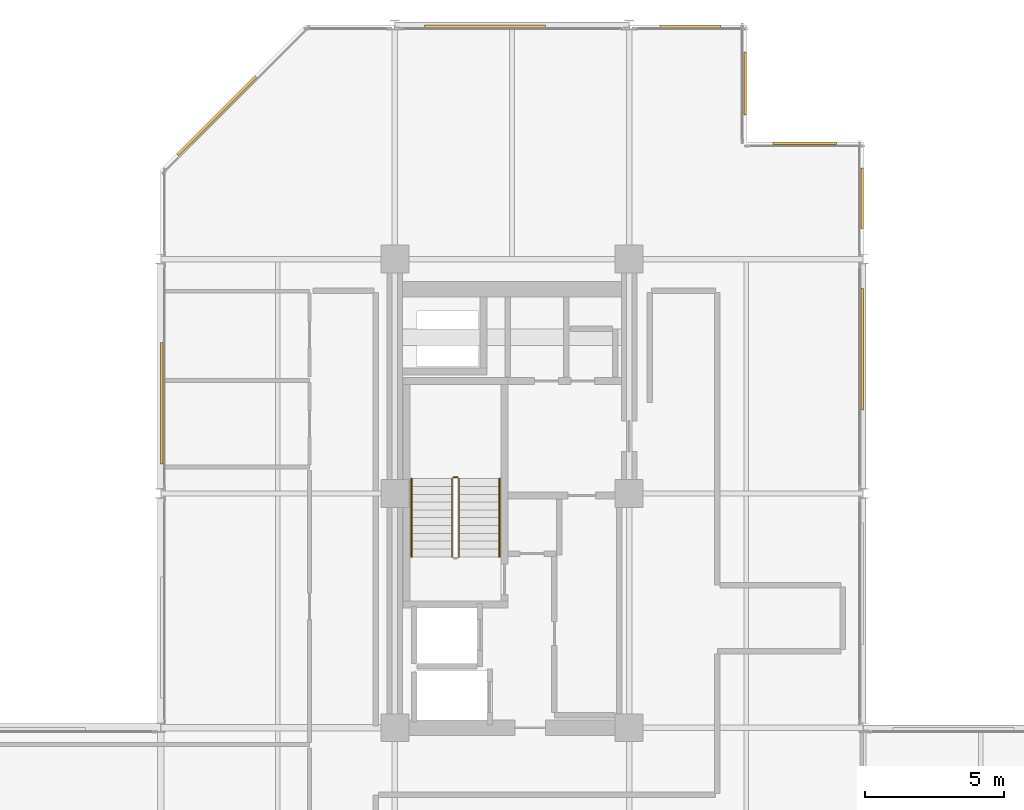
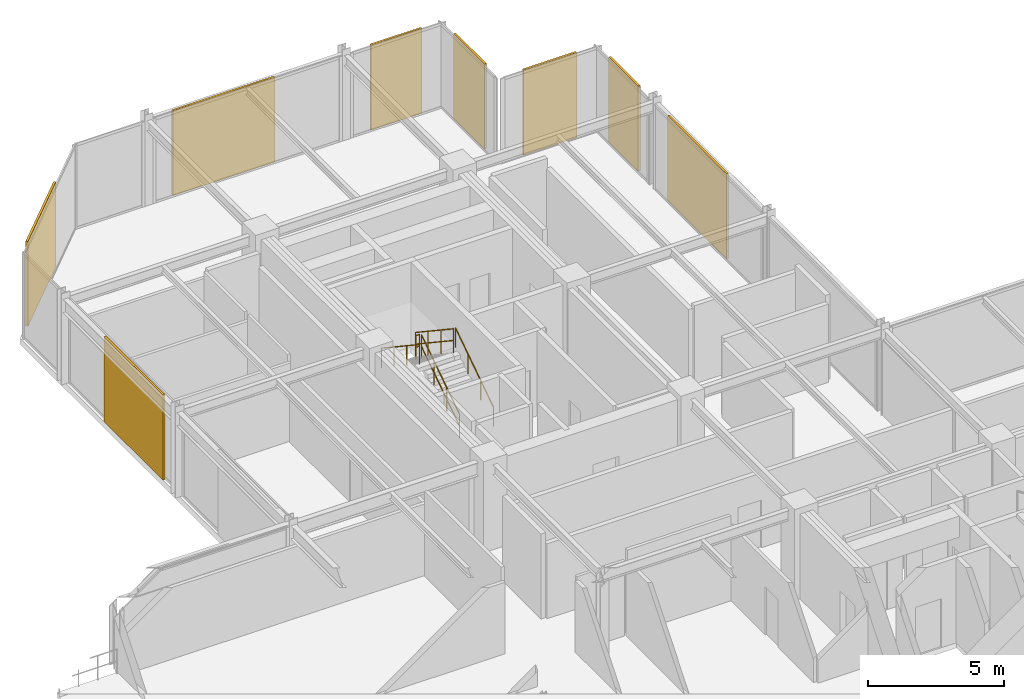
# One storey, part 29 of 29: 8 coverings, 5 railings.
"""IFC4 building model written with IfcOpenShell, lengths in metres."""

from ifc_helpers import new_model, si_unit, direction, frame, origin, origin_2d, place, context, subcontext, project, spatial, rectangle, circle, extrude, material, layer, layer_set, type_object, element, save


model = new_model("IFC4")

# Units and contexts
model_context = context("Model", 3, precision=1e-05, world=origin(), true_north=direction((0.0, 1.0)))
body_context = subcontext(model_context, "Body", "Model", "MODEL_VIEW")
ifc_project = project(units=[si_unit("LENGTHUNIT", "METRE"), si_unit("AREAUNIT", "SQUARE_METRE"), si_unit("VOLUMEUNIT", "CUBIC_METRE"), si_unit("PLANEANGLEUNIT", "RADIAN"), si_unit("MASSUNIT", "GRAM", prefix="KILO")], contexts=[model_context])

# Site, building, storey
site_placement = place(None, origin())
site = spatial("IfcSite", under=ifc_project, at=site_placement, CompositionType="ELEMENT")
building_placement = place(site_placement, origin())
building = spatial("IfcBuilding", under=site, at=building_placement, Name="Nerrivon Quay Data Exchange", CompositionType="ELEMENT")
storey_placement = place(building_placement, frame((0.0, 0.0, 187.800048828125)))
storey = spatial("IfcBuildingStorey", under=building, at=storey_placement, Name="L44", CompositionType="ELEMENT", Elevation=187.800048828125)

# Coverings
ifc_material_1 = material(Name="Architectural terracotta ceramic", Category="masonry")
ifc_layer = layer(ifc_material_1, 0.090087890625)
ifc_layer_set = layer_set([ifc_layer], Name="Architectural terracotta ceramic")
covering_type = type_object("IfcCoveringType", Name="COV-SCR-TERR", PredefinedType="CLADDING", material=ifc_layer_set)
covering_1_placement = place(storey_placement, frame((0.044921875, 36.833984375, 0.0), z_axis=(0.0, 0.0, 1.0), x_axis=(0.0, 1.0, 0.0)))
element("IfcCovering", 1, at=covering_1_placement, inside=storey, type_object=covering_type, Name="L44 Perforated Terracotta SOLAR SCREEN Cassette", PredefinedType="CLADDING", context=body_context, shape_type="SweptSolid", body=[
    extrude(rectangle(XDim=4.346923828125, YDim=0.090087890625, at=origin_2d()), origin(), (0.0, 0.0, 1.0), 3.824951171875),
])
covering_2_placement = place(storey_placement, frame((2.0078125, 47.144287109375, 0.0), z_axis=(0.0, 0.0, 1.0), x_axis=(0.707106781187, 0.707106781187, 0.0)))
element("IfcCovering", 2, at=covering_2_placement, inside=storey, type_object=covering_type, Name="L44 Perforated Terracotta SOLAR SCREEN Cassette", PredefinedType="CLADDING", context=body_context, shape_type="SweptSolid", body=[
    extrude(rectangle(XDim=3.970947265625, YDim=0.090087890625, at=origin_2d()), origin(), (0.0, 0.0, 1.0), 3.824951171875),
])
covering_3_placement = place(storey_placement, frame((11.634033203125, 50.35498046875, 0.0), z_axis=(0.0, 0.0, 1.0), x_axis=(1.0, 0.0, 0.0)))
element("IfcCovering", 3, at=covering_3_placement, inside=storey, type_object=covering_type, Name="L44 Perforated Terracotta SOLAR SCREEN Cassette", PredefinedType="CLADDING", context=body_context, shape_type="SweptSolid", body=[
    extrude(rectangle(XDim=4.346923828125, YDim=0.090087890625, at=origin_2d()), origin(), (0.0, 0.0, 1.0), 3.824951171875),
])
covering_4_placement = place(storey_placement, frame((18.987548828125, 50.35498046875, 0.0), z_axis=(0.0, 0.0, 1.0), x_axis=(1.0, 0.0, 0.0)))
element("IfcCovering", 4, at=covering_4_placement, inside=storey, type_object=covering_type, Name="L44 Perforated Terracotta SOLAR SCREEN Cassette", PredefinedType="CLADDING", context=body_context, shape_type="SweptSolid", body=[
    extrude(rectangle(XDim=2.173095703125, YDim=0.090087890625, at=origin_2d()), origin(), (0.0, 0.0, 1.0), 3.824951171875),
])
for number, where, z_axis, x_axis, name in (
    (5, (20.955078125, 48.300048828125, 0.0), (0.0, 0.0, 1.0), (0.0, -1.0, 0.0), "L44 Perforated Terracotta SOLAR SCREEN Cassette"),
    (6, (23.10009765625, 46.155029296875, 0.0), (0.0, 0.0, 1.0), (1.0, 0.0, 0.0), "L44 Perforated Terracotta SOLAR SCREEN Cassette"),
):
    element("IfcCovering", number, at=place(storey_placement, frame(where, z_axis=z_axis, x_axis=x_axis)), inside=storey, type_object=covering_type, Name=name, PredefinedType="CLADDING", context=body_context, shape_type="SweptSolid", body=[
        extrude(rectangle(XDim=2.26806640625, YDim=0.090087890625, at=origin_2d()), origin(), (0.0, 0.0, 1.0), 3.824951171875),
    ])
covering_5_placement = place(storey_placement, frame((25.155029296875, 44.1875, 0.0), z_axis=(0.0, 0.0, 1.0), x_axis=(0.0, -1.0, 0.0)))
element("IfcCovering", 7, at=covering_5_placement, inside=storey, type_object=covering_type, Name="L44 Perforated Terracotta SOLAR SCREEN Cassette", PredefinedType="CLADDING", context=body_context, shape_type="SweptSolid", body=[
    extrude(rectangle(XDim=2.174072265625, YDim=0.090087890625, at=origin_2d()), origin(), (0.0, 0.0, 1.0), 3.824951171875),
])
covering_6_placement = place(storey_placement, frame((25.155029296875, 38.76611328125, 0.0), z_axis=(0.0, 0.0, 1.0), x_axis=(0.0, -1.0, 0.0)))
element("IfcCovering", 8, at=covering_6_placement, inside=storey, type_object=covering_type, Name="L44 Perforated Terracotta SOLAR SCREEN Cassette", PredefinedType="CLADDING", context=body_context, shape_type="SweptSolid", body=[
    extrude(rectangle(XDim=4.346923828125, YDim=0.090087890625, at=origin_2d()), origin(), (0.0, 0.0, 1.0), 3.824951171875),
])

# Railings
ifc_material_2 = material(Name="Steel Grade C350L0 (350 MPa)", Category="steel")
railing_type_1 = type_object("IfcRailingType", Name="RAIL-HAND-HR1", PredefinedType="HANDRAIL", material=ifc_material_2)
railing_1_placement = place(storey_placement, frame((12.14990234375, 31.330078125, 0.186279296875)))
element("IfcRailing", 9, at=railing_1_placement, inside=storey, type_object=railing_type_1, Name="L44 ST01 stair handrail 1", PredefinedType="HANDRAIL", context=body_context, shape_type="SweptSolid", body=[
    extrude(circle(Radius=0.02392578125, at=origin_2d()), frame((0.0, 0.0, 0.8759765625), z_axis=(0.0, 0.832429786209, 0.554130536094), x_axis=(-1.0, 0.0, 0.0)), (0.0, 0.0, 1.0), 3.363525390625),
    extrude(circle(Radius=0.02099609375, at=origin_2d()), origin(), (0.0, 0.0, 1.0), 0.851806640625),
    extrude(circle(Radius=0.02099609375, at=origin_2d()), frame((0.0, 0.933349609375, 0.621337890625)), (0.0, 0.0, 1.0), 0.851806640625),
    extrude(circle(Radius=0.02099609375, at=origin_2d()), frame((0.0, 1.866455078125, 1.242431640625)), (0.0, 0.0, 1.0), 0.851806640625),
    extrude(circle(Radius=0.02099609375, at=origin_2d()), frame((0.0, 2.7998046875, 1.86376953125)), (0.0, 0.0, 1.0), 0.851806640625),
])
railing_2_placement = place(storey_placement, frame((9.0, 34.1298828125, 2.236328125)))
element("IfcRailing", 10, at=railing_2_placement, inside=storey, type_object=railing_type_1, Name="L44 ST01 stair handrail 2", PredefinedType="HANDRAIL", context=body_context, shape_type="SweptSolid", body=[
    extrude(circle(Radius=0.02392578125, at=origin_2d()), frame((0.0, 0.0, 0.8759765625), z_axis=(0.0, -0.832463268671, 0.554080234545), x_axis=(1.0, 0.0, 0.0)), (0.0, 0.0, 1.0), 3.36328125),
    extrude(circle(Radius=0.02099609375, at=origin_2d()), origin(), (0.0, 0.0, 1.0), 0.851806640625),
    extrude(circle(Radius=0.02099609375, at=origin_2d()), frame((0.0, -0.933349609375, 0.62109375)), (0.0, 0.0, 1.0), 0.851806640625),
    extrude(circle(Radius=0.02099609375, at=origin_2d()), frame((0.0, -1.866455078125, 1.242431640625)), (0.0, 0.0, 1.0), 0.851806640625),
    extrude(circle(Radius=0.02099609375, at=origin_2d()), frame((0.0, -2.7998046875, 1.863525390625)), (0.0, 0.0, 1.0), 0.851806640625),
])
railing_type_2 = type_object("IfcRailingType", Name="RAIL-STAIR-GR1", PredefinedType="BALUSTRADE", material=ifc_material_2)
railing_3_placement = place(storey_placement, frame((10.699951171875, 31.330078125, 0.186279296875)))
element("IfcRailing", 11, at=railing_3_placement, inside=storey, type_object=railing_type_2, Name="L44 ST01 stair guard 1", PredefinedType="BALUSTRADE", context=body_context, shape_type="SweptSolid", body=[
    extrude(circle(Radius=0.02392578125, at=origin_2d()), frame((0.0, 0.0, 1.076171875), z_axis=(0.0, 0.832429786209, 0.554130536094), x_axis=(-1.0, 0.0, 0.0)), (0.0, 0.0, 1.0), 3.363525390625),
    extrude(circle(Radius=0.02392578125, at=origin_2d()), frame((0.0, 0.0, 0.550048828125), z_axis=(0.0, 0.832429786209, 0.554130536094), x_axis=(-1.0, 0.0, 0.0)), (0.0, 0.0, 1.0), 3.363525390625),
    extrude(circle(Radius=0.02099609375, at=origin_2d()), origin(), (0.0, 0.0, 1.0), 1.052001953125),
    extrude(circle(Radius=0.02099609375, at=origin_2d()), frame((0.0, 0.933349609375, 0.621337890625)), (0.0, 0.0, 1.0), 1.052001953125),
    extrude(circle(Radius=0.02099609375, at=origin_2d()), frame((0.0, 1.866455078125, 1.242431640625)), (0.0, 0.0, 1.0), 1.052001953125),
    extrude(circle(Radius=0.02099609375, at=origin_2d()), frame((0.0, 2.7998046875, 1.86376953125)), (0.0, 0.0, 1.0), 1.052001953125),
])
railing_4_placement = place(storey_placement, frame((10.64990234375, 34.179931640625, 2.050048828125)))
element("IfcRailing", 12, at=railing_4_placement, inside=storey, type_object=railing_type_2, Name="L44 ST01 stair guard 2", PredefinedType="BALUSTRADE", context=body_context, shape_type="SweptSolid", body=[
    extrude(circle(Radius=0.02392578125, at=origin_2d()), frame((0.0, 0.0, 1.076171875), z_axis=(-1.0, 0.0, 0.0), x_axis=(0.0, -1.0, 0.0)), (0.0, 0.0, 1.0), 0.14990234375),
    extrude(circle(Radius=0.02392578125, at=origin_2d()), frame((0.0, 0.0, 0.550048828125), z_axis=(-1.0, 0.0, 0.0), x_axis=(0.0, -1.0, 0.0)), (0.0, 0.0, 1.0), 0.14990234375),
    extrude(circle(Radius=0.02099609375, at=origin_2d()), origin(), (0.0, 0.0, 1.0), 1.052001953125),
    extrude(circle(Radius=0.02099609375, at=origin_2d()), frame((-0.14990234375, 0.0, 0.0)), (0.0, 0.0, 1.0), 1.052001953125),
])
railing_5_placement = place(storey_placement, frame((10.449951171875, 34.1298828125, 2.236328125)))
element("IfcRailing", 13, at=railing_5_placement, inside=storey, type_object=railing_type_2, Name="L44 ST01 stair guard 3", PredefinedType="BALUSTRADE", context=body_context, shape_type="SweptSolid", body=[
    extrude(circle(Radius=0.02392578125, at=origin_2d()), frame((0.0, 0.0, 1.076171875), z_axis=(0.0, -0.832463268671, 0.554080234545), x_axis=(1.0, 0.0, 0.0)), (0.0, 0.0, 1.0), 3.36328125),
    extrude(circle(Radius=0.02392578125, at=origin_2d()), frame((0.0, 0.0, 0.550048828125), z_axis=(0.0, -0.832463268671, 0.554080234545), x_axis=(1.0, 0.0, 0.0)), (0.0, 0.0, 1.0), 3.36328125),
    extrude(circle(Radius=0.02099609375, at=origin_2d()), origin(), (0.0, 0.0, 1.0), 1.052001953125),
    extrude(circle(Radius=0.02099609375, at=origin_2d()), frame((0.0, -0.933349609375, 0.62109375)), (0.0, 0.0, 1.0), 1.052001953125),
    extrude(circle(Radius=0.02099609375, at=origin_2d()), frame((0.0, -1.866455078125, 1.242431640625)), (0.0, 0.0, 1.0), 1.052001953125),
    extrude(circle(Radius=0.02099609375, at=origin_2d()), frame((0.0, -2.7998046875, 1.863525390625)), (0.0, 0.0, 1.0), 1.052001953125),
])

save(model, "model.ifc")
